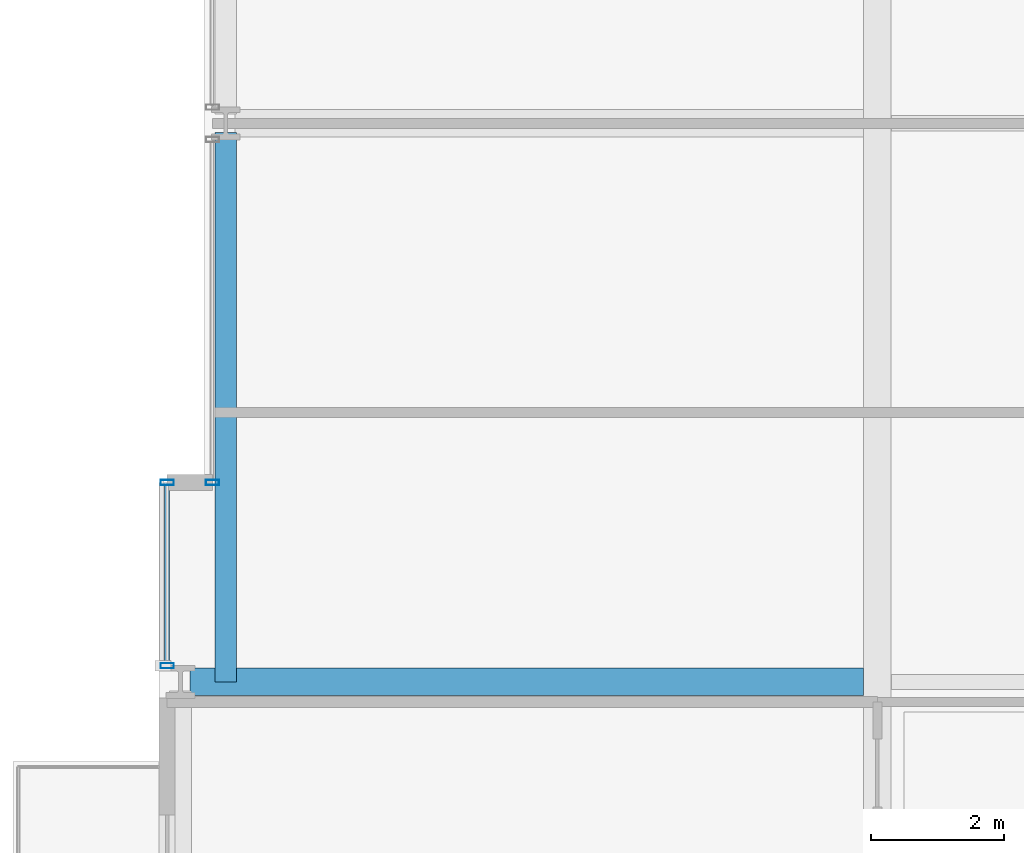
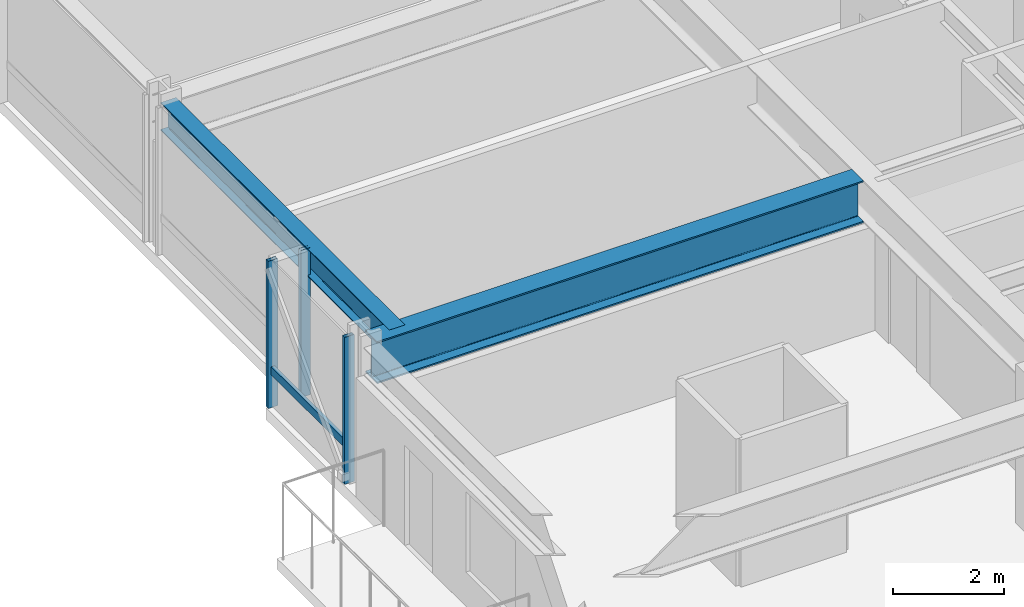
# One storey, part 7 of 39: 4 members, 2 beams, 2 elements without a shape of their own.
"""IFC4 building model written with IfcOpenShell, lengths in metres."""

from ifc_helpers import new_model, si_unit, direction, frame, origin, origin_2d, place, context, subcontext, project, spatial, hollow_rectangle, i_section, extrude, material, layer, layer_set, material_profile, profile_set, type_object, element, aggregate, save


model = new_model("IFC4")

# Units and contexts
model_context = context("Model", 3, precision=1e-05, world=origin(), true_north=direction((0.0, 1.0)))
body_context = subcontext(model_context, "Body", "Model", "MODEL_VIEW")
ifc_project = project(units=[si_unit("LENGTHUNIT", "METRE"), si_unit("AREAUNIT", "SQUARE_METRE"), si_unit("VOLUMEUNIT", "CUBIC_METRE"), si_unit("PLANEANGLEUNIT", "RADIAN"), si_unit("MASSUNIT", "GRAM", prefix="KILO")], contexts=[model_context])

# Site, building, storey
site_placement = place(None, origin())
site = spatial("IfcSite", under=ifc_project, at=site_placement, CompositionType="ELEMENT")
building_placement = place(site_placement, origin())
building = spatial("IfcBuilding", under=site, at=building_placement, Name="Drelvath Grand Hotel", CompositionType="ELEMENT")
storey_placement = place(building_placement, frame((0.0, 0.0, 40.199951171875)))
storey = spatial("IfcBuildingStorey", under=building, at=storey_placement, Name="L08", CompositionType="ELEMENT", Elevation=40.199951171875)

# Curtain wall, members
ifc_material_1 = material(Name="Warm Bronze Anodised Aluminium Frame", Category="aluminium")
ifc_layer = layer(ifc_material_1, 0.199951171875)
ifc_layer_set = layer_set([ifc_layer], Name="Warm Bronze Anodised Aluminium Frame")
curtain_wall_type = type_object("IfcCurtainWallType", Name="Stick Curtain Wall CW-02 Warm Bronze Low-Rise", PredefinedType="NOTDEFINED", material=ifc_layer_set)
curtain_wall_1_placement = place(storey_placement, origin())
curtain_wall_1 = element("IfcCurtainWall", 1, at=curtain_wall_1_placement, inside=storey, type_object=curtain_wall_type, Name="L08 CW-02 Curtain Wall CW02-L08-WS3", PredefinedType="NOTDEFINED")
ifc_material_profile_1 = material_profile(ifc_material_1, hollow_rectangle(XDim=0.074951171875, YDim=0.179931640625, WallThickness=0.0048828125, at=origin_2d()), Name="HSS180X75X5")
ifc_profile_set_1 = profile_set([ifc_material_profile_1], Name="Warm Bronze Anodised Aluminium Frame")
member_type_1 = type_object("IfcMemberType", Name="Curtain Wall Horizontal Transom CW-02 HSS180X75X5", PredefinedType="USERDEFINED", material=ifc_profile_set_1)
member_1_placement = place(storey_placement, frame((-26.8798828125, 18.880859375, 0.81005859375), z_axis=(0.0, 1.0, 0.0), x_axis=(-1.0, 0.0, 0.0)))
member_1 = element("IfcMember", 2, at=member_1_placement, type_object=member_type_1, Name="CW02-L08-WS3 Sill Transom", ObjectType="TRANSOM", PredefinedType="USERDEFINED", context=body_context, shape_type="SweptSolid", body=[
    extrude(hollow_rectangle(XDim=0.074951171875, YDim=0.179931640625, WallThickness=0.0048828125, at=origin_2d()), origin(), (0.0, 0.0, 1.0), 2.67919921875),
])
ifc_material_profile_2 = material_profile(ifc_material_1, hollow_rectangle(XDim=0.080078125, YDim=0.199951171875, WallThickness=0.0048828125, at=origin_2d()), Name="HSS200X80X5")
ifc_profile_set_2 = profile_set([ifc_material_profile_2], Name="Warm Bronze Anodised Aluminium Frame")
member_type_2 = type_object("IfcMemberType", Name="Curtain Wall Vertical Mullion CW-02 HSS200X80X5", PredefinedType="MULLION", material=ifc_profile_set_2)
member_2_placement = place(storey_placement, frame((-26.8798828125, 18.8408203125, 0.0), z_axis=(0.0, 0.0, 1.0), x_axis=(0.0, 1.0, 0.0)))
member_2 = element("IfcMember", 3, at=member_2_placement, type_object=member_type_2, Name="CW02-L08-WS3 Mullion 1", PredefinedType="MULLION", context=body_context, shape_type="SweptSolid", body=[
    extrude(hollow_rectangle(XDim=0.080078125, YDim=0.199951171875, WallThickness=0.0048828125, at=origin_2d()), origin(), (0.0, 0.0, 1.0), 3.239990234375),
])
member_3_placement = place(storey_placement, frame((-26.8798828125, 21.60009765625, 0.0), z_axis=(0.0, 0.0, 1.0), x_axis=(0.0, 1.0, 0.0)))
member_3 = element("IfcMember", 4, at=member_3_placement, type_object=member_type_2, Name="CW02-L08-WS3 Mullion 2", PredefinedType="MULLION", context=body_context, shape_type="SweptSolid", body=[
    extrude(hollow_rectangle(XDim=0.080078125, YDim=0.199951171875, WallThickness=0.0048828125, at=origin_2d()), origin(), (0.0, 0.0, 1.0), 3.239990234375),
])
aggregate(curtain_wall_1, [member_2, member_3, member_1])

# Curtain wall, member
curtain_wall_2_placement = place(storey_placement, origin())
curtain_wall_2 = element("IfcCurtainWall", 5, at=curtain_wall_2_placement, inside=storey, type_object=curtain_wall_type, Name="L08 CW-02 Curtain Wall CW02-L08-WM1", PredefinedType="NOTDEFINED")
member_4_placement = place(storey_placement, frame((-26.199951171875, 21.60009765625, 0.0), z_axis=(0.0, 0.0, 1.0), x_axis=(0.0, 1.0, 0.0)))
member_4 = element("IfcMember", 6, at=member_4_placement, type_object=member_type_2, Name="CW02-L08-WM1 Mullion 1", PredefinedType="MULLION", context=body_context, shape_type="SweptSolid", body=[
    extrude(hollow_rectangle(XDim=0.080078125, YDim=0.199951171875, WallThickness=0.0048828125, at=origin_2d()), origin(), (0.0, 0.0, 1.0), 3.239990234375),
])
aggregate(curtain_wall_2, [member_4])

# Beams
ifc_material_2 = material(Name="Steel ASTM A992 Gr 50", Category="steel")
ifc_material_profile_3 = material_profile(ifc_material_2, i_section(OverallWidth=0.323974609375, OverallDepth=0.611083984375, WebThickness=0.0126953125, FlangeThickness=0.01904296875, FilletRadius=0.02197265625, at=origin_2d()), Name="W24X104")
ifc_profile_set_3 = profile_set([ifc_material_profile_3], Name="Steel ASTM A992 Gr 50")
beam_type_1 = type_object("IfcBeamType", Name="Perimeter Spandrel Beam W24X104", PredefinedType="SPANDREL", material=ifc_profile_set_3)
beam_1_placement = place(storey_placement, frame((-26.0, 18.60009765625, 2.9345703125), z_axis=(0.0, 1.0, 0.0), x_axis=(-1.0, 0.0, 0.0)))
element("IfcBeam", 7, at=beam_1_placement, inside=storey, type_object=beam_type_1, Name="L08 Spandrel West Mid S", PredefinedType="SPANDREL", context=body_context, shape_type="SweptSolid", body=[
    extrude(i_section(OverallWidth=0.323974609375, OverallDepth=0.611083984375, WebThickness=0.0126953125, FlangeThickness=0.01904296875, FilletRadius=0.02197265625, at=origin_2d()), origin(), (0.0, 0.0, 1.0), 8.260009765625),
])
ifc_material_profile_4 = material_profile(ifc_material_2, i_section(OverallWidth=0.418212890625, OverallDepth=0.926513671875, WebThickness=0.019287109375, FlangeThickness=0.031982421875, FilletRadius=0.028076171875, at=origin_2d()), Name="W36X231")
ifc_profile_set_4 = profile_set([ifc_material_profile_4], Name="Steel ASTM A992 Gr 50")
beam_type_2 = type_object("IfcBeamType", Name="Primary Floor Girder W36X231", PredefinedType="BEAM", material=ifc_profile_set_4)
beam_2_placement = place(storey_placement, frame((-26.5400390625, 18.60009765625, 2.77685546875), z_axis=(1.0, 0.0, 0.0), x_axis=(0.0, 1.0, 0.0)))
element("IfcBeam", 8, at=beam_2_placement, inside=storey, type_object=beam_type_2, Name="L08 West Wing Girder D", PredefinedType="BEAM", context=body_context, shape_type="SweptSolid", body=[
    extrude(i_section(OverallWidth=0.418212890625, OverallDepth=0.926513671875, WebThickness=0.019287109375, FlangeThickness=0.031982421875, FilletRadius=0.028076171875, at=origin_2d()), origin(), (0.0, 0.0, 1.0), 10.130859375),
])

save(model, "model.ifc")
